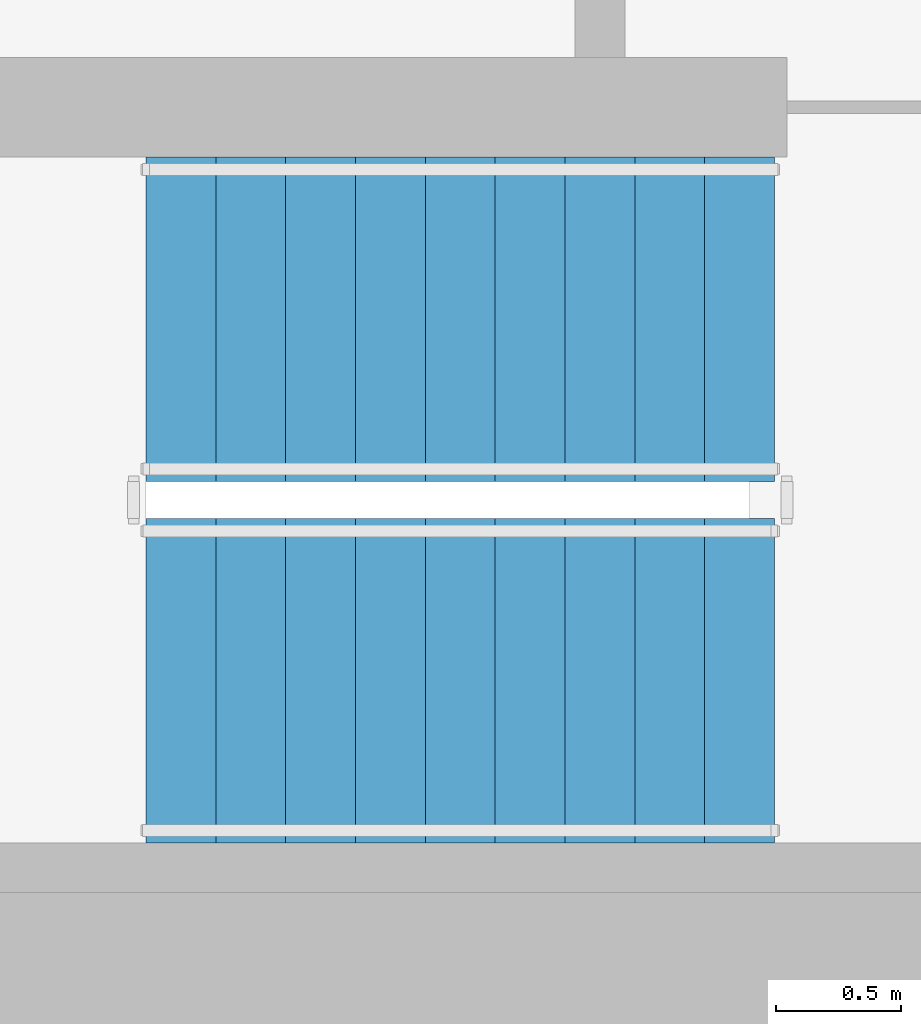
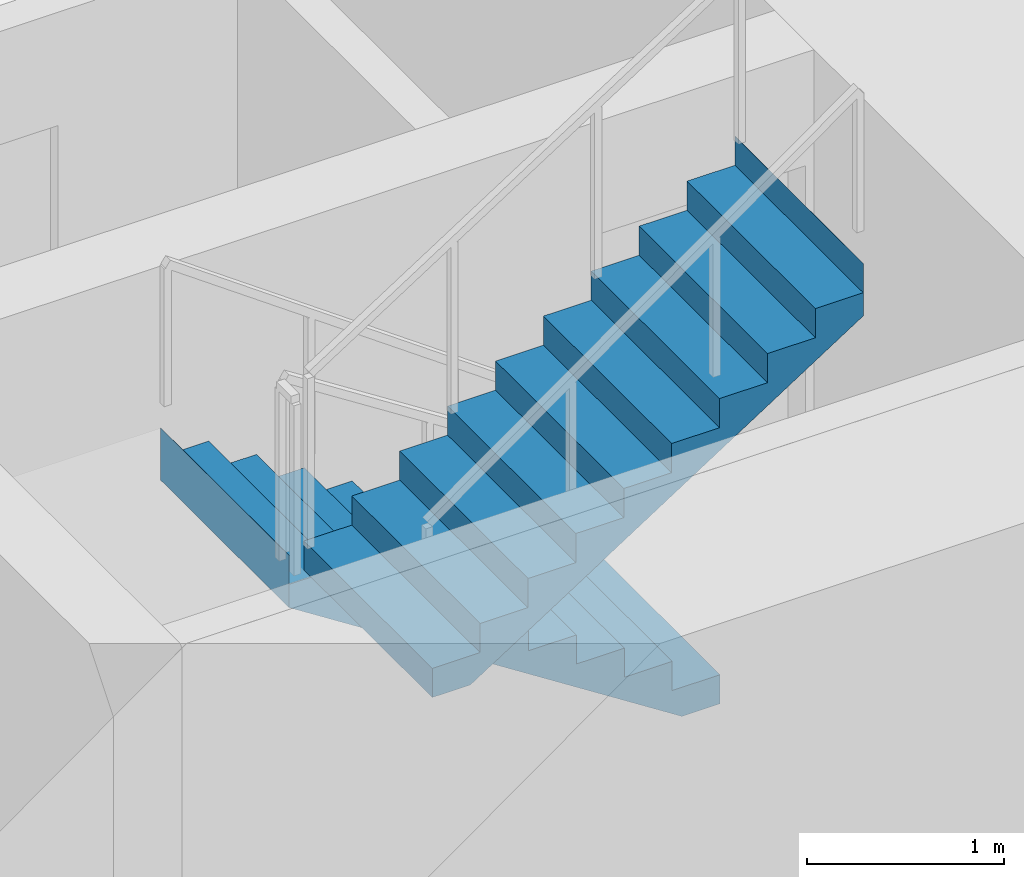
# One storey, part 17 of 21: 2 stair flights, 1 element without a shape of its own.
"""IFC4 building model written with IfcOpenShell, lengths in metres."""

from ifc_helpers import new_model, si_unit, direction, frame, origin, place, context, subcontext, project, spatial, triangles, material, type_object, element, aggregate, save


model = new_model("IFC4")

# Units and contexts
model_context = context("Model", 3, precision=1e-05, world=origin(), true_north=direction((0.0, 1.0)))
body_context = subcontext(model_context, "Body", "Model", "MODEL_VIEW")
ifc_project = project(units=[si_unit("LENGTHUNIT", "METRE"), si_unit("AREAUNIT", "SQUARE_METRE"), si_unit("VOLUMEUNIT", "CUBIC_METRE"), si_unit("PLANEANGLEUNIT", "RADIAN"), si_unit("MASSUNIT", "GRAM", prefix="KILO")], contexts=[model_context])

# Site, building, storey
site_placement = place(None, origin())
site = spatial("IfcSite", under=ifc_project, at=site_placement, CompositionType="ELEMENT")
building_placement = place(site_placement, origin())
building = spatial("IfcBuilding", under=site, at=building_placement, Name="Beryl Residences", CompositionType="ELEMENT")
storey_placement = place(building_placement, frame((0.0, 0.0, 19.800048828125)))
storey = spatial("IfcBuildingStorey", under=building, at=storey_placement, Name="L05", CompositionType="ELEMENT", Elevation=19.800048828125)

# Stair, stair flights
ifc_material_1 = material(Name="Concrete C40/50", Category="concrete")
stair_type = type_object("IfcStairType", Name="ST1 protected exit stair, half-turn, 1300 mm flights", PredefinedType="HALF_TURN_STAIR", material=ifc_material_1)
stair_placement = place(storey_placement, origin())
stair = element("IfcStair", 1, at=stair_placement, inside=storey, type_object=stair_type, Name="L05 PROTECTED EXIT STAIR ST-3", PredefinedType="HALF_TURN_STAIR")
ifc_material_2 = material(Name="Concrete C40/50", Category="concrete")
stair_flight_type = type_object("IfcStairFlightType", Name="SF1 stair flight 1300 mm", PredefinedType="STRAIGHT", material=ifc_material_2)
stair_flight_1_placement = place(storey_placement, frame((10.800048828125, -15.5, 0.0), z_axis=(0.0, 0.0, 1.0), x_axis=(-1.0, 0.0, 0.0)))
stair_flight_1 = element("IfcStairFlight", 2, at=stair_flight_1_placement, type_object=stair_flight_type, Name="ST-3 flight 1", NumberOfRisers=10, NumberOfTreads=9, PredefinedType="STRAIGHT", RiserHeight=0.18, TreadLength=0.28, context=body_context, shape_type="Tessellation", body=[
    triangles([(0.0, -0.64990234375, 0.0), (0.0, -0.324951171875, 0.0), (0.0, 0.0, 0.0), (0.0, 0.324951171875, 0.0), (0.0, 0.64990234375, 0.0), (0.0, -0.64990234375, 0.179931640625), (0.0, -0.324951171875, 0.179931640625), (0.0, 0.0, 0.179931640625), (0.0, 0.324951171875, 0.179931640625), (0.0, 0.64990234375, 0.179931640625), (0.280029296875, -0.64990234375, 0.179931640625), (0.280029296875, -0.324951171875, 0.179931640625), (0.280029296875, 0.0, 0.179931640625), (0.280029296875, 0.324951171875, 0.179931640625), (0.280029296875, 0.64990234375, 0.179931640625), (0.280029296875, -0.64990234375, 0.360107421875), (0.280029296875, -0.324951171875, 0.360107421875), (0.280029296875, 0.0, 0.360107421875), (0.280029296875, 0.324951171875, 0.360107421875), (0.280029296875, 0.64990234375, 0.360107421875), (0.56005859375, -0.64990234375, 0.360107421875), (0.56005859375, -0.324951171875, 0.360107421875), (0.56005859375, 0.0, 0.360107421875), (0.56005859375, 0.324951171875, 0.360107421875), (0.56005859375, 0.64990234375, 0.360107421875), (0.56005859375, -0.64990234375, 0.5400390625), (0.56005859375, -0.324951171875, 0.5400390625), (0.56005859375, 0.0, 0.5400390625), (0.56005859375, 0.324951171875, 0.5400390625), (0.56005859375, 0.64990234375, 0.5400390625), (0.840087890625, -0.64990234375, 0.5400390625), (0.840087890625, -0.324951171875, 0.5400390625), (0.840087890625, 0.0, 0.5400390625), (0.840087890625, 0.324951171875, 0.5400390625), (0.840087890625, 0.64990234375, 0.5400390625), (0.840087890625, -0.64990234375, 0.719970703125), (0.840087890625, -0.324951171875, 0.719970703125), (0.840087890625, 0.0, 0.719970703125), (0.840087890625, 0.324951171875, 0.719970703125), (0.840087890625, 0.64990234375, 0.719970703125), (1.1201171875, -0.64990234375, 0.719970703125), (1.1201171875, -0.324951171875, 0.719970703125), (1.1201171875, 0.0, 0.719970703125), (1.1201171875, 0.324951171875, 0.719970703125), (1.1201171875, 0.64990234375, 0.719970703125), (1.1201171875, -0.64990234375, 0.89990234375), (1.1201171875, -0.324951171875, 0.89990234375), (1.1201171875, 0.0, 0.89990234375), (1.1201171875, 0.324951171875, 0.89990234375), (1.1201171875, 0.64990234375, 0.89990234375), (1.39990234375, -0.64990234375, 0.89990234375), (1.39990234375, -0.324951171875, 0.89990234375), (1.39990234375, 0.0, 0.89990234375), (1.39990234375, 0.324951171875, 0.89990234375), (1.39990234375, 0.64990234375, 0.89990234375), (1.39990234375, -0.64990234375, 1.080078125), (1.39990234375, -0.324951171875, 1.080078125), (1.39990234375, 0.0, 1.080078125), (1.39990234375, 0.324951171875, 1.080078125), (1.39990234375, 0.64990234375, 1.080078125), (1.679931640625, -0.64990234375, 1.080078125), (1.679931640625, -0.324951171875, 1.080078125), (1.679931640625, 0.0, 1.080078125), (1.679931640625, 0.324951171875, 1.080078125), (1.679931640625, 0.64990234375, 1.080078125), (1.679931640625, -0.64990234375, 1.260009765625), (1.679931640625, -0.324951171875, 1.260009765625), (1.679931640625, 0.0, 1.260009765625), (1.679931640625, 0.324951171875, 1.260009765625), (1.679931640625, 0.64990234375, 1.260009765625), (1.9599609375, -0.64990234375, 1.260009765625), (1.9599609375, -0.324951171875, 1.260009765625), (1.9599609375, 0.0, 1.260009765625), (1.9599609375, 0.324951171875, 1.260009765625), (1.9599609375, 0.64990234375, 1.260009765625), (1.9599609375, -0.64990234375, 1.43994140625), (1.9599609375, -0.324951171875, 1.43994140625), (1.9599609375, 0.0, 1.43994140625), (1.9599609375, 0.324951171875, 1.43994140625), (1.9599609375, 0.64990234375, 1.43994140625), (2.239990234375, -0.64990234375, 1.43994140625), (2.239990234375, -0.324951171875, 1.43994140625), (2.239990234375, 0.0, 1.43994140625), (2.239990234375, 0.324951171875, 1.43994140625), (2.239990234375, 0.64990234375, 1.43994140625), (2.239990234375, -0.64990234375, 1.6201171875), (2.239990234375, -0.324951171875, 1.6201171875), (2.239990234375, 0.0, 1.6201171875), (2.239990234375, 0.324951171875, 1.6201171875), (2.239990234375, 0.64990234375, 1.6201171875), (2.52001953125, -0.64990234375, 1.6201171875), (2.52001953125, -0.324951171875, 1.6201171875), (2.52001953125, 0.0, 1.6201171875), (2.52001953125, 0.324951171875, 1.6201171875), (2.52001953125, 0.64990234375, 1.6201171875), (2.52001953125, -0.64990234375, 1.800048828125), (2.52001953125, -0.324951171875, 1.800048828125), (2.52001953125, 0.0, 1.800048828125), (2.52001953125, 0.324951171875, 1.800048828125), (2.52001953125, 0.64990234375, 1.800048828125), (2.52099609375, -0.64990234375, 1.800048828125), (2.52099609375, -0.324951171875, 1.800048828125), (2.52099609375, 0.0, 1.800048828125), (2.52099609375, 0.324951171875, 1.800048828125), (2.52099609375, 0.64990234375, 1.800048828125), (2.52099609375, -0.64990234375, 1.477294921875), (2.52099609375, -0.324951171875, 1.477294921875), (2.52099609375, 0.0, 1.477294921875), (2.52099609375, 0.324951171875, 1.477294921875), (2.52099609375, 0.64990234375, 1.477294921875), (0.22314453125, -0.64990234375, 0.0), (0.22314453125, -0.324951171875, 0.0), (0.22314453125, 0.0, 0.0), (0.22314453125, 0.324951171875, 0.0), (0.22314453125, 0.64990234375, 0.0)], [[1, 6, 7], [1, 7, 2], [2, 7, 8], [2, 8, 3], [3, 8, 9], [3, 9, 4], [4, 9, 10], [4, 10, 5], [6, 11, 12], [6, 12, 7], [7, 12, 13], [7, 13, 8], [8, 13, 14], [8, 14, 9], [9, 14, 15], [9, 15, 10], [11, 16, 17], [11, 17, 12], [12, 17, 18], [12, 18, 13], [13, 18, 19], [13, 19, 14], [14, 19, 20], [14, 20, 15], [16, 21, 22], [16, 22, 17], [17, 22, 23], [17, 23, 18], [18, 23, 24], [18, 24, 19], [19, 24, 25], [19, 25, 20], [21, 26, 27], [21, 27, 22], [22, 27, 28], [22, 28, 23], [23, 28, 29], [23, 29, 24], [24, 29, 30], [24, 30, 25], [26, 31, 32], [26, 32, 27], [27, 32, 33], [27, 33, 28], [28, 33, 34], [28, 34, 29], [29, 34, 35], [29, 35, 30], [31, 36, 37], [31, 37, 32], [32, 37, 38], [32, 38, 33], [33, 38, 39], [33, 39, 34], [34, 39, 40], [34, 40, 35], [36, 41, 42], [36, 42, 37], [37, 42, 43], [37, 43, 38], [38, 43, 44], [38, 44, 39], [39, 44, 45], [39, 45, 40], [41, 46, 47], [41, 47, 42], [42, 47, 48], [42, 48, 43], [43, 48, 49], [43, 49, 44], [44, 49, 50], [44, 50, 45], [46, 51, 52], [46, 52, 47], [47, 52, 53], [47, 53, 48], [48, 53, 54], [48, 54, 49], [49, 54, 55], [49, 55, 50], [51, 56, 57], [51, 57, 52], [52, 57, 58], [52, 58, 53], [53, 58, 59], [53, 59, 54], [54, 59, 60], [54, 60, 55], [56, 61, 62], [56, 62, 57], [57, 62, 63], [57, 63, 58], [58, 63, 64], [58, 64, 59], [59, 64, 65], [59, 65, 60], [61, 66, 67], [61, 67, 62], [62, 67, 68], [62, 68, 63], [63, 68, 69], [63, 69, 64], [64, 69, 70], [64, 70, 65], [66, 71, 72], [66, 72, 67], [67, 72, 73], [67, 73, 68], [68, 73, 74], [68, 74, 69], [69, 74, 75], [69, 75, 70], [71, 76, 77], [71, 77, 72], [72, 77, 78], [72, 78, 73], [73, 78, 79], [73, 79, 74], [74, 79, 80], [74, 80, 75], [76, 81, 82], [76, 82, 77], [77, 82, 83], [77, 83, 78], [78, 83, 84], [78, 84, 79], [79, 84, 85], [79, 85, 80], [81, 86, 87], [81, 87, 82], [82, 87, 88], [82, 88, 83], [83, 88, 89], [83, 89, 84], [84, 89, 90], [84, 90, 85], [86, 91, 92], [86, 92, 87], [87, 92, 93], [87, 93, 88], [88, 93, 94], [88, 94, 89], [89, 94, 95], [89, 95, 90], [91, 96, 97], [91, 97, 92], [92, 97, 98], [92, 98, 93], [93, 98, 99], [93, 99, 94], [94, 99, 100], [94, 100, 95], [96, 101, 102], [96, 102, 97], [97, 102, 103], [97, 103, 98], [98, 103, 104], [98, 104, 99], [99, 104, 105], [99, 105, 100], [101, 106, 107], [101, 107, 102], [102, 107, 108], [102, 108, 103], [103, 108, 109], [103, 109, 104], [104, 109, 110], [104, 110, 105], [106, 111, 112], [106, 112, 107], [107, 112, 113], [107, 113, 108], [108, 113, 114], [108, 114, 109], [109, 114, 115], [109, 115, 110], [111, 1, 2], [111, 2, 112], [112, 2, 3], [112, 3, 113], [113, 3, 4], [113, 4, 114], [114, 4, 5], [114, 5, 115], [1, 111, 106], [5, 110, 115], [106, 101, 96], [110, 100, 105], [106, 96, 91], [110, 95, 100], [106, 91, 86], [110, 90, 95], [106, 86, 81], [110, 85, 90], [81, 76, 71], [85, 75, 80], [106, 81, 71], [110, 75, 85], [71, 66, 61], [75, 65, 70], [106, 71, 61], [110, 65, 75], [61, 56, 51], [65, 55, 60], [106, 61, 51], [110, 55, 65], [51, 46, 41], [55, 45, 50], [106, 51, 41], [110, 45, 55], [41, 36, 31], [45, 35, 40], [106, 41, 31], [110, 35, 45], [31, 26, 21], [35, 25, 30], [106, 31, 21], [110, 25, 35], [21, 16, 11], [25, 15, 20], [106, 21, 11], [110, 15, 25], [1, 106, 11], [5, 15, 110], [11, 6, 1], [15, 5, 10]], closed=True),
])
stair_flight_2_placement = place(storey_placement, frame((8.280029296875, -16.949951171875, 1.800048828125), z_axis=(0.0, 0.0, 1.0), x_axis=(1.0, 0.0, 0.0)))
stair_flight_2 = element("IfcStairFlight", 3, at=stair_flight_2_placement, type_object=stair_flight_type, Name="ST-3 flight 2", NumberOfRisers=10, NumberOfTreads=9, PredefinedType="STRAIGHT", RiserHeight=0.18, TreadLength=0.28, context=body_context, shape_type="Tessellation", body=[
    triangles([(0.0, -0.64990234375, 0.0), (0.0, -0.324951171875, 0.0), (0.0, 0.0, 0.0), (0.0, 0.324951171875, 0.0), (0.0, 0.64990234375, 0.0), (0.0, -0.64990234375, 0.179931640625), (0.0, -0.324951171875, 0.179931640625), (0.0, 0.0, 0.179931640625), (0.0, 0.324951171875, 0.179931640625), (0.0, 0.64990234375, 0.179931640625), (0.280029296875, -0.64990234375, 0.179931640625), (0.280029296875, -0.324951171875, 0.179931640625), (0.280029296875, 0.0, 0.179931640625), (0.280029296875, 0.324951171875, 0.179931640625), (0.280029296875, 0.64990234375, 0.179931640625), (0.280029296875, -0.64990234375, 0.360107421875), (0.280029296875, -0.324951171875, 0.360107421875), (0.280029296875, 0.0, 0.360107421875), (0.280029296875, 0.324951171875, 0.360107421875), (0.280029296875, 0.64990234375, 0.360107421875), (0.56005859375, -0.64990234375, 0.360107421875), (0.56005859375, -0.324951171875, 0.360107421875), (0.56005859375, 0.0, 0.360107421875), (0.56005859375, 0.324951171875, 0.360107421875), (0.56005859375, 0.64990234375, 0.360107421875), (0.56005859375, -0.64990234375, 0.5400390625), (0.56005859375, -0.324951171875, 0.5400390625), (0.56005859375, 0.0, 0.5400390625), (0.56005859375, 0.324951171875, 0.5400390625), (0.56005859375, 0.64990234375, 0.5400390625), (0.840087890625, -0.64990234375, 0.5400390625), (0.840087890625, -0.324951171875, 0.5400390625), (0.840087890625, 0.0, 0.5400390625), (0.840087890625, 0.324951171875, 0.5400390625), (0.840087890625, 0.64990234375, 0.5400390625), (0.840087890625, -0.64990234375, 0.719970703125), (0.840087890625, -0.324951171875, 0.719970703125), (0.840087890625, 0.0, 0.719970703125), (0.840087890625, 0.324951171875, 0.719970703125), (0.840087890625, 0.64990234375, 0.719970703125), (1.1201171875, -0.64990234375, 0.719970703125), (1.1201171875, -0.324951171875, 0.719970703125), (1.1201171875, 0.0, 0.719970703125), (1.1201171875, 0.324951171875, 0.719970703125), (1.1201171875, 0.64990234375, 0.719970703125), (1.1201171875, -0.64990234375, 0.89990234375), (1.1201171875, -0.324951171875, 0.89990234375), (1.1201171875, 0.0, 0.89990234375), (1.1201171875, 0.324951171875, 0.89990234375), (1.1201171875, 0.64990234375, 0.89990234375), (1.39990234375, -0.64990234375, 0.89990234375), (1.39990234375, -0.324951171875, 0.89990234375), (1.39990234375, 0.0, 0.89990234375), (1.39990234375, 0.324951171875, 0.89990234375), (1.39990234375, 0.64990234375, 0.89990234375), (1.39990234375, -0.64990234375, 1.080078125), (1.39990234375, -0.324951171875, 1.080078125), (1.39990234375, 0.0, 1.080078125), (1.39990234375, 0.324951171875, 1.080078125), (1.39990234375, 0.64990234375, 1.080078125), (1.679931640625, -0.64990234375, 1.080078125), (1.679931640625, -0.324951171875, 1.080078125), (1.679931640625, 0.0, 1.080078125), (1.679931640625, 0.324951171875, 1.080078125), (1.679931640625, 0.64990234375, 1.080078125), (1.679931640625, -0.64990234375, 1.260009765625), (1.679931640625, -0.324951171875, 1.260009765625), (1.679931640625, 0.0, 1.260009765625), (1.679931640625, 0.324951171875, 1.260009765625), (1.679931640625, 0.64990234375, 1.260009765625), (1.9599609375, -0.64990234375, 1.260009765625), (1.9599609375, -0.324951171875, 1.260009765625), (1.9599609375, 0.0, 1.260009765625), (1.9599609375, 0.324951171875, 1.260009765625), (1.9599609375, 0.64990234375, 1.260009765625), (1.9599609375, -0.64990234375, 1.43994140625), (1.9599609375, -0.324951171875, 1.43994140625), (1.9599609375, 0.0, 1.43994140625), (1.9599609375, 0.324951171875, 1.43994140625), (1.9599609375, 0.64990234375, 1.43994140625), (2.239990234375, -0.64990234375, 1.43994140625), (2.239990234375, -0.324951171875, 1.43994140625), (2.239990234375, 0.0, 1.43994140625), (2.239990234375, 0.324951171875, 1.43994140625), (2.239990234375, 0.64990234375, 1.43994140625), (2.239990234375, -0.64990234375, 1.6201171875), (2.239990234375, -0.324951171875, 1.6201171875), (2.239990234375, 0.0, 1.6201171875), (2.239990234375, 0.324951171875, 1.6201171875), (2.239990234375, 0.64990234375, 1.6201171875), (2.52001953125, -0.64990234375, 1.6201171875), (2.52001953125, -0.324951171875, 1.6201171875), (2.52001953125, 0.0, 1.6201171875), (2.52001953125, 0.324951171875, 1.6201171875), (2.52001953125, 0.64990234375, 1.6201171875), (2.52001953125, -0.64990234375, 1.800048828125), (2.52001953125, -0.324951171875, 1.800048828125), (2.52001953125, 0.0, 1.800048828125), (2.52001953125, 0.324951171875, 1.800048828125), (2.52001953125, 0.64990234375, 1.800048828125), (2.52099609375, -0.64990234375, 1.800048828125), (2.52099609375, -0.324951171875, 1.800048828125), (2.52099609375, 0.0, 1.800048828125), (2.52099609375, 0.324951171875, 1.800048828125), (2.52099609375, 0.64990234375, 1.800048828125), (2.52099609375, -0.64990234375, 1.477294921875), (2.52099609375, -0.324951171875, 1.477294921875), (2.52099609375, 0.0, 1.477294921875), (2.52099609375, 0.324951171875, 1.477294921875), (2.52099609375, 0.64990234375, 1.477294921875), (0.22314453125, -0.64990234375, 0.0), (0.22314453125, -0.324951171875, 0.0), (0.22314453125, 0.0, 0.0), (0.22314453125, 0.324951171875, 0.0), (0.22314453125, 0.64990234375, 0.0)], [[1, 6, 7], [1, 7, 2], [2, 7, 8], [2, 8, 3], [3, 8, 9], [3, 9, 4], [4, 9, 10], [4, 10, 5], [6, 11, 12], [6, 12, 7], [7, 12, 13], [7, 13, 8], [8, 13, 14], [8, 14, 9], [9, 14, 15], [9, 15, 10], [11, 16, 17], [11, 17, 12], [12, 17, 18], [12, 18, 13], [13, 18, 19], [13, 19, 14], [14, 19, 20], [14, 20, 15], [16, 21, 22], [16, 22, 17], [17, 22, 23], [17, 23, 18], [18, 23, 24], [18, 24, 19], [19, 24, 25], [19, 25, 20], [21, 26, 27], [21, 27, 22], [22, 27, 28], [22, 28, 23], [23, 28, 29], [23, 29, 24], [24, 29, 30], [24, 30, 25], [26, 31, 32], [26, 32, 27], [27, 32, 33], [27, 33, 28], [28, 33, 34], [28, 34, 29], [29, 34, 35], [29, 35, 30], [31, 36, 37], [31, 37, 32], [32, 37, 38], [32, 38, 33], [33, 38, 39], [33, 39, 34], [34, 39, 40], [34, 40, 35], [36, 41, 42], [36, 42, 37], [37, 42, 43], [37, 43, 38], [38, 43, 44], [38, 44, 39], [39, 44, 45], [39, 45, 40], [41, 46, 47], [41, 47, 42], [42, 47, 48], [42, 48, 43], [43, 48, 49], [43, 49, 44], [44, 49, 50], [44, 50, 45], [46, 51, 52], [46, 52, 47], [47, 52, 53], [47, 53, 48], [48, 53, 54], [48, 54, 49], [49, 54, 55], [49, 55, 50], [51, 56, 57], [51, 57, 52], [52, 57, 58], [52, 58, 53], [53, 58, 59], [53, 59, 54], [54, 59, 60], [54, 60, 55], [56, 61, 62], [56, 62, 57], [57, 62, 63], [57, 63, 58], [58, 63, 64], [58, 64, 59], [59, 64, 65], [59, 65, 60], [61, 66, 67], [61, 67, 62], [62, 67, 68], [62, 68, 63], [63, 68, 69], [63, 69, 64], [64, 69, 70], [64, 70, 65], [66, 71, 72], [66, 72, 67], [67, 72, 73], [67, 73, 68], [68, 73, 74], [68, 74, 69], [69, 74, 75], [69, 75, 70], [71, 76, 77], [71, 77, 72], [72, 77, 78], [72, 78, 73], [73, 78, 79], [73, 79, 74], [74, 79, 80], [74, 80, 75], [76, 81, 82], [76, 82, 77], [77, 82, 83], [77, 83, 78], [78, 83, 84], [78, 84, 79], [79, 84, 85], [79, 85, 80], [81, 86, 87], [81, 87, 82], [82, 87, 88], [82, 88, 83], [83, 88, 89], [83, 89, 84], [84, 89, 90], [84, 90, 85], [86, 91, 92], [86, 92, 87], [87, 92, 93], [87, 93, 88], [88, 93, 94], [88, 94, 89], [89, 94, 95], [89, 95, 90], [91, 96, 97], [91, 97, 92], [92, 97, 98], [92, 98, 93], [93, 98, 99], [93, 99, 94], [94, 99, 100], [94, 100, 95], [96, 101, 102], [96, 102, 97], [97, 102, 103], [97, 103, 98], [98, 103, 104], [98, 104, 99], [99, 104, 105], [99, 105, 100], [101, 106, 107], [101, 107, 102], [102, 107, 108], [102, 108, 103], [103, 108, 109], [103, 109, 104], [104, 109, 110], [104, 110, 105], [106, 111, 112], [106, 112, 107], [107, 112, 113], [107, 113, 108], [108, 113, 114], [108, 114, 109], [109, 114, 115], [109, 115, 110], [111, 1, 2], [111, 2, 112], [112, 2, 3], [112, 3, 113], [113, 3, 4], [113, 4, 114], [114, 4, 5], [114, 5, 115], [1, 111, 106], [5, 110, 115], [106, 101, 96], [110, 100, 105], [106, 96, 91], [110, 95, 100], [106, 91, 86], [110, 90, 95], [106, 86, 81], [110, 85, 90], [81, 76, 71], [85, 75, 80], [106, 81, 71], [110, 75, 85], [71, 66, 61], [75, 65, 70], [106, 71, 61], [110, 65, 75], [61, 56, 51], [65, 55, 60], [106, 61, 51], [110, 55, 65], [51, 46, 41], [55, 45, 50], [106, 51, 41], [110, 45, 55], [41, 36, 31], [45, 35, 40], [106, 41, 31], [110, 35, 45], [31, 26, 21], [35, 25, 30], [106, 31, 21], [110, 25, 35], [21, 16, 11], [25, 15, 20], [106, 21, 11], [110, 15, 25], [1, 106, 11], [5, 15, 110], [11, 6, 1], [15, 5, 10]], closed=True),
])
aggregate(stair, [stair_flight_1, stair_flight_2])

save(model, "model.ifc")
